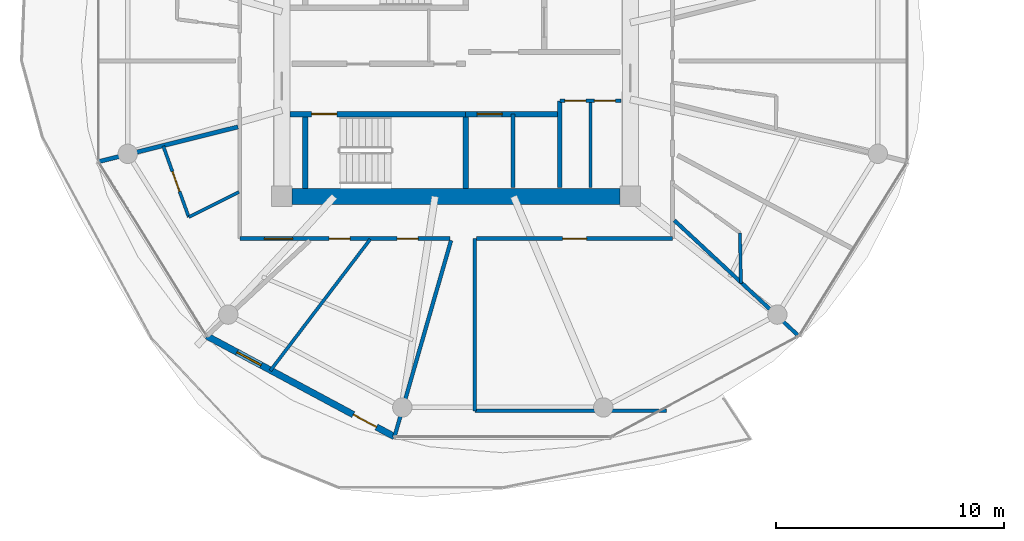
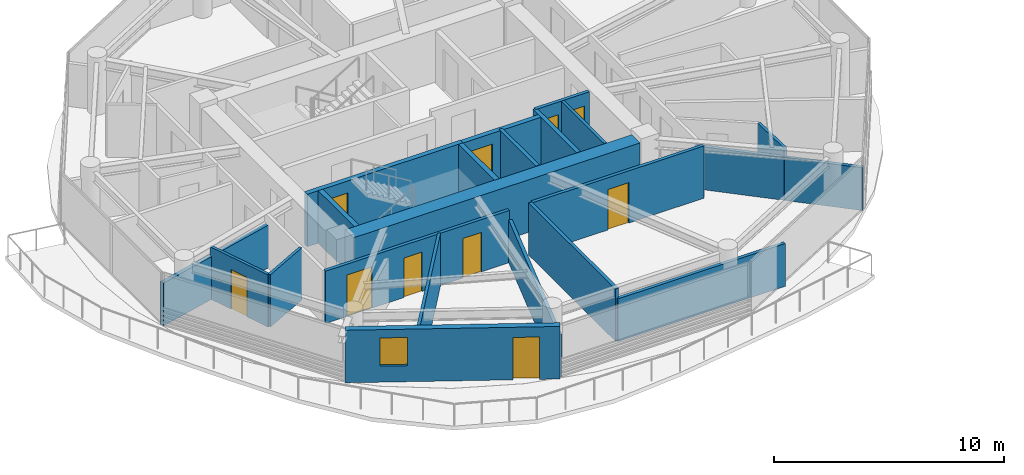
# One storey, part 13 of 24: 21 walls, 10 doors, 1 window, 11 openings.
"""IFC4 building model written with IfcOpenShell, lengths in metres."""

from ifc_helpers import new_model, si_unit, direction, frame, frame_2d, origin, place, context, subcontext, project, spatial, rectangle, extrude, source, transform, mapped, material, layer, layer_set, type_object, type_shapes, element, fill, save


model = new_model("IFC4")

# Units and contexts
model_context = context("Model", 3, precision=1e-05, world=origin(), true_north=direction((0.0, 1.0)))
body_context = subcontext(model_context, "Body", "Model", "MODEL_VIEW")
ifc_project = project(units=[si_unit("LENGTHUNIT", "METRE"), si_unit("AREAUNIT", "SQUARE_METRE"), si_unit("VOLUMEUNIT", "CUBIC_METRE"), si_unit("PLANEANGLEUNIT", "RADIAN"), si_unit("MASSUNIT", "GRAM", prefix="KILO")], contexts=[model_context])

# Site, building, storey
site_placement = place(None, origin())
site = spatial("IfcSite", under=ifc_project, at=site_placement, CompositionType="ELEMENT")
building_placement = place(site_placement, origin())
building = spatial("IfcBuilding", under=site, at=building_placement, Name="Norrkilde Senior Care Towers", CompositionType="ELEMENT")
storey_placement = place(building_placement, frame((0.0, 0.0, 105.39990234375)))
storey = spatial("IfcBuildingStorey", under=building, at=storey_placement, Name="L32", CompositionType="ELEMENT", Elevation=105.39990234375)

# Wall
ifc_material_1 = material(Name="Concrete C60/75", Category="concrete")
ifc_layer_1 = layer(ifc_material_1, 0.719970703125)
ifc_layer_set_1 = layer_set([ifc_layer_1], Name="Concrete C60/75")
wall_type_1 = type_object("IfcWallType", Name="Core Shear Wall Z2 720", PredefinedType="SHEAR", material=ifc_layer_set_1)
shared_shape_1 = source(origin(), body_context, "Body", "SweptSolid", [
    extrude(rectangle(XDim=14.39990234375, YDim=0.719970703125, at=frame_2d((7.199951171875, 0.0))), origin(), (0.0, 0.0, 1.0), 2.7900390625),
])
type_shapes(wall_type_1, [shared_shape_1])
wall_1_placement = place(storey_placement, frame((-20.800048828125, -5.949951171875, 0.0), z_axis=(0.0, 0.0, 1.0), x_axis=(-1.0, 0.0, 0.0)))
element("IfcWall", 1, at=wall_1_placement, inside=storey, type_object=wall_type_1, Name="L32 Core W South Shear Wall", PredefinedType="SHEAR", context=body_context, shape_type="MappedRepresentation", body=[
    mapped(shared_shape_1, transform((0.0, 0.0, 0.0), x_axis=(1.0, 0.0, 0.0), y_axis=(0.0, 1.0, 0.0), z_axis=(0.0, 0.0, 1.0), scale=1.0)),
])

# Wall, openings, door, window
ifc_material_2 = material(Name="Precast concrete C45/55", Category="concrete")
ifc_layer_2 = layer(ifc_material_2, 0.2900390625)
ifc_layer_set_2 = layer_set([ifc_layer_2], Name="Precast concrete C45/55")
wall_type_2 = type_object("IfcWallType", Name="Winter Garden Facade Wall 290", PredefinedType="SOLIDWALL", material=ifc_layer_set_2)
shared_shape_2 = source(origin(), body_context, "Body", "SweptSolid", [
    extrude(rectangle(XDim=9.3505859375, YDim=0.2900390625, at=frame_2d((4.67529296875, 0.0))), origin(), (0.0, 0.0, 1.0), 2.7900390625),
])
type_shapes(wall_type_2, [shared_shape_2])
wall_2_placement = place(storey_placement, frame((-30.70703125, -16.498046875, 0.0), z_axis=(0.0, 0.0, 1.0), x_axis=(-0.881184411073, 0.472772708267, 0.0)))
wall_2 = element("IfcWall", 2, at=wall_2_placement, inside=storey, type_object=wall_type_2, Name="L32 Drum W Balcony Access Wall 07", PredefinedType="SOLIDWALL", context=body_context, shape_type="MappedRepresentation", body=[
    mapped(shared_shape_2, transform((0.0, 0.0, 0.0), x_axis=(1.0, 0.0, 0.0), y_axis=(0.0, 1.0, 0.0), z_axis=(0.0, 0.0, 1.0), scale=1.0)),
])
opening_1_placement = place(wall_2_placement, frame((0.89990234375, 0.0, 0.0)))
opening_1 = element("IfcOpeningElement", 3, at=opening_1_placement, cuts=wall_2, Name="Opening D-09", PredefinedType="OPENING", context=body_context, shape_type="SweptSolid", body=[
    extrude(rectangle(XDim=1.14990234375, YDim=2.25, at=frame_2d((0.574951171875, 1.125))), frame((0.0, 0.155029296875, 0.0), z_axis=(0.0, -1.0, 0.0), x_axis=(1.0, 0.0, 0.0)), (0.0, 0.0, 1.0), 0.31005859375),
])
opening_2_placement = place(wall_2_placement, frame((6.645263671875, 0.0, 0.85009765625)))
opening_2 = element("IfcOpeningElement", 4, at=opening_2_placement, cuts=wall_2, Name="Opening WN-07", PredefinedType="OPENING", context=body_context, shape_type="SweptSolid", body=[
    extrude(rectangle(XDim=1.199951171875, YDim=1.5, at=frame_2d((0.60009765625, 0.75))), frame((0.0, 0.155029296875, 0.0), z_axis=(0.0, -1.0, 0.0), x_axis=(1.0, 0.0, 0.0)), (0.0, 0.0, 1.0), 0.31005859375),
])
ifc_material_3 = material(Name="Anodised Aluminium", Category="aluminium")
door_type_1 = type_object("IfcDoorType", Name="Terrace and Balcony Glazed Door 1150x2250", OperationType="NOTDEFINED", PredefinedType="DOOR", material=ifc_material_3)
shared_shape_3 = source(origin(), body_context, "Body", "SweptSolid", [
    extrude(rectangle(XDim=1.14990234375, YDim=2.25, at=frame_2d((0.574951171875, 1.125))), frame((0.0, 0.02490234375, 0.0), z_axis=(0.0, -1.0, 0.0), x_axis=(1.0, 0.0, 0.0)), (0.0, 0.0, 1.0), 0.050048828125),
])
type_shapes(door_type_1, [shared_shape_3])
door_1_placement = place(opening_1_placement, origin())
door_1 = element("IfcDoor", 5, at=door_1_placement, inside=storey, type_object=door_type_1, Name="L32 Drum W Outdoor Terrace Door 07", OperationType="SINGLE_SWING_RIGHT", OverallHeight=2.25, OverallWidth=1.14990234375, PredefinedType="DOOR", context=body_context, shape_type="MappedRepresentation", body=[
    mapped(shared_shape_3, transform((0.0, 0.0, 0.0), x_axis=(1.0, 0.0, 0.0), y_axis=(0.0, 1.0, 0.0), z_axis=(0.0, 0.0, 1.0), scale=1.0)),
])
fill(opening_1, door_1)
ifc_material_4 = material(Name="Triple Low-E Insulated Glazing", Category="glass")
window_type = type_object("IfcWindowType", Name="Stairwell Smoke Vent Window 1200x1500", PartitioningType="SINGLE_PANEL", PredefinedType="WINDOW", material=ifc_material_4)
shared_shape_4 = source(origin(), body_context, "Body", "SweptSolid", [
    extrude(rectangle(XDim=1.199951171875, YDim=1.5, at=frame_2d((0.60009765625, 0.75))), frame((0.0, 0.030029296875, 0.0), z_axis=(0.0, -1.0, 0.0), x_axis=(1.0, 0.0, 0.0)), (0.0, 0.0, 1.0), 0.06005859375),
])
type_shapes(window_type, [shared_shape_4])
window_placement = place(opening_2_placement, origin())
window = element("IfcWindow", 6, at=window_placement, inside=storey, type_object=window_type, Name="L32 Drum W Winter Garden Window 07", OverallHeight=1.5, OverallWidth=1.199951171875, PartitioningType="SINGLE_PANEL", PredefinedType="WINDOW", context=body_context, shape_type="MappedRepresentation", body=[
    mapped(shared_shape_4, transform((0.0, 0.0, 0.0), x_axis=(1.0, 0.0, 0.0), y_axis=(0.0, 1.0, 0.0), z_axis=(0.0, 0.0, 1.0), scale=1.0)),
])
fill(opening_2, window)

# Wall
ifc_material_5 = material(Name="Concrete C45/55", Category="concrete")
ifc_layer_3 = layer(ifc_material_5, 0.199951171875)
ifc_layer_set_3 = layer_set([ifc_layer_3], Name="Concrete C45/55")
wall_type_3 = type_object("IfcWallType", Name="Shaft Division and Plant Partition 200", PredefinedType="PARTITIONING", material=ifc_layer_set_3)
shared_shape_5 = source(origin(), body_context, "Body", "SweptSolid", [
    extrude(rectangle(XDim=3.800048828125, YDim=0.199951171875, at=frame_2d((1.89990234375, 0.0))), origin(), (0.0, 0.0, 1.0), 2.775146484375),
])
type_shapes(wall_type_3, [shared_shape_5])
wall_3_placement = place(storey_placement, frame((-23.449951171875, -5.550048828125, 0.0), z_axis=(0.0, 0.0, 1.0), x_axis=(0.0, 1.0, 0.0)))
element("IfcWall", 7, at=wall_3_placement, inside=storey, type_object=wall_type_3, Name="WL-INT-L32-W-PKBE", PredefinedType="PARTITIONING", context=body_context, shape_type="MappedRepresentation", body=[
    mapped(shared_shape_5, transform((0.0, 0.0, 0.0), x_axis=(1.0, 0.0, 0.0), y_axis=(0.0, 1.0, 0.0), z_axis=(0.0, 0.0, 1.0), scale=1.0)),
])

# Wall, opening, door
ifc_layer_4 = layer(ifc_material_5, 0.239990234375)
ifc_layer_set_4 = layer_set([ifc_layer_4], Name="Concrete C45/55")
wall_type_4 = type_object("IfcWallType", Name="Lift and Plant Rated Enclosure Partition 240", PredefinedType="PARTITIONING", material=ifc_layer_set_4)
shared_shape_6 = source(origin(), body_context, "Body", "SweptSolid", [
    extrude(rectangle(XDim=4.130126953125, YDim=0.239990234375, at=frame_2d((2.06494140625, 0.0))), origin(), (0.0, 0.0, 1.0), 2.775146484375),
])
type_shapes(wall_type_4, [shared_shape_6])
wall_4_placement = place(storey_placement, frame((-27.580078125, -2.330078125, 0.0), z_axis=(0.0, 0.0, 1.0), x_axis=(1.0, 0.0, 0.0)))
wall_4 = element("IfcWall", 8, at=wall_4_placement, inside=storey, type_object=wall_type_4, Name="WL-INT-L32-W-PKBN", PredefinedType="PARTITIONING", context=body_context, shape_type="MappedRepresentation", body=[
    mapped(shared_shape_6, transform((0.0, 0.0, 0.0), x_axis=(1.0, 0.0, 0.0), y_axis=(0.0, 1.0, 0.0), z_axis=(0.0, 0.0, 1.0), scale=1.0)),
])
opening_3_placement = place(wall_4_placement, frame((0.5, 0.0, 0.0)))
opening_3 = element("IfcOpeningElement", 9, at=opening_3_placement, cuts=wall_4, Name="Opening LD-01", PredefinedType="OPENING", context=body_context, shape_type="SweptSolid", body=[
    extrude(rectangle(XDim=1.10009765625, YDim=2.199951171875, at=frame_2d((0.550048828125, 1.10009765625))), frame((0.0, 0.1298828125, 0.0), z_axis=(0.0, -1.0, 0.0), x_axis=(1.0, 0.0, 0.0)), (0.0, 0.0, 1.0), 0.260009765625),
])
ifc_material_6 = material(Name="Stainless Steel", Category="steel")
door_type_2 = type_object("IfcDoorType", Name="Lift Landing Sliding Door 1100x2200", OperationType="NOTDEFINED", PredefinedType="DOOR", material=ifc_material_6)
shared_shape_7 = source(origin(), body_context, "Body", "SweptSolid", [
    extrude(rectangle(XDim=1.10009765625, YDim=2.199951171875, at=frame_2d((0.550048828125, 1.10009765625))), frame((0.0, 0.02490234375, 0.0), z_axis=(0.0, -1.0, 0.0), x_axis=(1.0, 0.0, 0.0)), (0.0, 0.0, 1.0), 0.050048828125),
])
type_shapes(door_type_2, [shared_shape_7])
door_2_placement = place(opening_3_placement, frame((1.10009765625, 0.0, 0.0), z_axis=(0.0, 0.0, 1.0), x_axis=(-1.0, 0.0, 0.0)))
door_2 = element("IfcDoor", 10, at=door_2_placement, inside=storey, type_object=door_type_2, Name="L32 Passenger Lift W3 Landing Door", OperationType="SLIDING_TO_LEFT", OverallHeight=2.199951171875, OverallWidth=1.10009765625, PredefinedType="DOOR", context=body_context, shape_type="MappedRepresentation", body=[
    mapped(shared_shape_7, transform((0.0, 0.0, 0.0), x_axis=(1.0, 0.0, 0.0), y_axis=(0.0, 1.0, 0.0), z_axis=(0.0, 0.0, 1.0), scale=1.0)),
])
fill(opening_3, door_2)

# Wall
ifc_layer_5 = layer(ifc_material_5, 0.179931640625)
ifc_layer_set_5 = layer_set([ifc_layer_5], Name="Concrete C45/55")
wall_type_5 = type_object("IfcWallType", Name="Hoistway Division Rated Partition 180", PredefinedType="PARTITIONING", material=ifc_layer_set_5)
shared_shape_8 = source(origin(), body_context, "Body", "SweptSolid", [
    extrude(rectangle(XDim=3.219970703125, YDim=0.179931640625, at=frame_2d((1.60986328125, 0.0))), origin(), (0.0, 0.0, 1.0), 2.775146484375),
])
type_shapes(wall_type_5, [shared_shape_8])
wall_5_placement = place(storey_placement, frame((-25.5, -5.550048828125, 0.0), z_axis=(0.0, 0.0, 1.0), x_axis=(0.0, 1.0, 0.0)))
element("IfcWall", 11, at=wall_5_placement, inside=storey, type_object=wall_type_5, Name="WL-INT-L32-W-PL34", PredefinedType="PARTITIONING", context=body_context, shape_type="MappedRepresentation", body=[
    mapped(shared_shape_8, transform((0.0, 0.0, 0.0), x_axis=(1.0, 0.0, 0.0), y_axis=(0.0, 1.0, 0.0), z_axis=(0.0, 0.0, 1.0), scale=1.0)),
])

# Wall, openings, doors
ifc_material_7 = material(Name="Gypsum Acoustic Board")
ifc_layer_6 = layer(ifc_material_7, 0.1650390625)
ifc_layer_set_6 = layer_set([ifc_layer_6], Name="Gypsum Acoustic Board")
wall_type_6 = type_object("IfcWallType", Name="Corridor Rated Partition 165", PredefinedType="PARTITIONING", material=ifc_layer_set_6)
shared_shape_9 = source(origin(), body_context, "Body", "SweptSolid", [
    extrude(rectangle(XDim=2.699951171875, YDim=0.1650390625, at=frame_2d((1.35009765625, 0.0))), origin(), (0.0, 0.0, 1.0), 2.775146484375),
])
wall_6_placement = place(storey_placement, frame((-23.449951171875, -1.75, 0.0), z_axis=(0.0, 0.0, 1.0), x_axis=(1.0, 0.0, 0.0)))
wall_6 = element("IfcWall", 12, at=wall_6_placement, inside=storey, type_object=wall_type_6, Name="WL-INT-L32-W-CSN", PredefinedType="PARTITIONING", context=body_context, shape_type="MappedRepresentation", body=[
    mapped(shared_shape_9, transform((0.0, 0.0, 0.0), x_axis=(1.0, 0.0, 0.0), y_axis=(0.0, 1.0, 0.0), z_axis=(0.0, 0.0, 1.0), scale=1.0)),
])
opening_4_placement = place(wall_6_placement, frame((0.222412109375, 0.0, 0.0)))
opening_4 = element("IfcOpeningElement", 13, at=opening_4_placement, cuts=wall_6, Name="Opening D-12", PredefinedType="OPENING", context=body_context, shape_type="SweptSolid", body=[
    extrude(rectangle(XDim=0.925048828125, YDim=2.10009765625, at=frame_2d((0.46240234375, 1.050048828125))), frame((0.0, 0.092529296875, 0.0), z_axis=(0.0, -1.0, 0.0), x_axis=(1.0, 0.0, 0.0)), (0.0, 0.0, 1.0), 0.18505859375),
])
opening_5_placement = place(wall_6_placement, frame((1.5224609375, 0.0, 0.0)))
opening_5 = element("IfcOpeningElement", 14, at=opening_5_placement, cuts=wall_6, Name="Opening D-12", PredefinedType="OPENING", context=body_context, shape_type="SweptSolid", body=[
    extrude(rectangle(XDim=0.925048828125, YDim=2.10009765625, at=frame_2d((0.46240234375, 1.050048828125))), frame((0.0, 0.092529296875, 0.0), z_axis=(0.0, -1.0, 0.0), x_axis=(1.0, 0.0, 0.0)), (0.0, 0.0, 1.0), 0.18505859375),
])
ifc_material_8 = material(Name="Galvanised Painted Steel", Category="steel")
door_type_3 = type_object("IfcDoorType", Name="Core Wet Room Rated Door 925x2100", OperationType="NOTDEFINED", PredefinedType="DOOR", material=ifc_material_8)
shared_shape_10 = source(origin(), body_context, "Body", "SweptSolid", [
    extrude(rectangle(XDim=0.925048828125, YDim=2.10009765625, at=frame_2d((0.46240234375, 1.050048828125))), frame((0.0, 0.02490234375, 0.0), z_axis=(0.0, -1.0, 0.0), x_axis=(1.0, 0.0, 0.0)), (0.0, 0.0, 1.0), 0.050048828125),
])
type_shapes(door_type_3, [shared_shape_10])
door_3_placement = place(opening_4_placement, origin())
door_3 = element("IfcDoor", 15, at=door_3_placement, inside=storey, type_object=door_type_3, Name="L32 Staff Accessible WC W Door", OperationType="SINGLE_SWING_LEFT", OverallHeight=2.10009765625, OverallWidth=0.925048828125, PredefinedType="DOOR", context=body_context, shape_type="MappedRepresentation", body=[
    mapped(shared_shape_10, transform((0.0, 0.0, 0.0), x_axis=(1.0, 0.0, 0.0), y_axis=(0.0, 1.0, 0.0), z_axis=(0.0, 0.0, 1.0), scale=1.0)),
])
fill(opening_4, door_3)
door_4_placement = place(opening_5_placement, origin())
door_4 = element("IfcDoor", 16, at=door_4_placement, inside=storey, type_object=door_type_3, Name="L32 Housekeeping Store W Door", OperationType="SINGLE_SWING_RIGHT", OverallHeight=2.10009765625, OverallWidth=0.925048828125, PredefinedType="DOOR", context=body_context, shape_type="MappedRepresentation", body=[
    mapped(shared_shape_10, transform((0.0, 0.0, 0.0), x_axis=(1.0, 0.0, 0.0), y_axis=(0.0, 1.0, 0.0), z_axis=(0.0, 0.0, 1.0), scale=1.0)),
])
fill(opening_5, door_4)

# Wall, opening, door
ifc_layer_7 = layer(ifc_material_5, 0.239990234375)
ifc_layer_set_7 = layer_set([ifc_layer_7], Name="Concrete C45/55")
wall_type_7 = type_object("IfcWallType", Name="Shaft and Stair Enclosure Wall 240", PredefinedType="PARTITIONING", material=ifc_layer_set_7)
shared_shape_11 = source(origin(), body_context, "Body", "SweptSolid", [
    extrude(rectangle(XDim=7.830078125, YDim=0.239990234375, at=frame_2d((3.9150390625, 0.0))), origin(), (0.0, 0.0, 1.0), 2.7900390625),
])
wall_7_placement = place(storey_placement, frame((-35.2900390625, -2.330078125, 0.0), z_axis=(0.0, 0.0, 1.0), x_axis=(1.0, 0.0, 0.0)))
wall_7 = element("IfcWall", 17, at=wall_7_placement, inside=storey, type_object=wall_type_7, Name="WL-INT-L32-W-ST2N", PredefinedType="PARTITIONING", context=body_context, shape_type="MappedRepresentation", body=[
    mapped(shared_shape_11, transform((0.0, 0.0, 0.0), x_axis=(1.0, 0.0, 0.0), y_axis=(0.0, 1.0, 0.0), z_axis=(0.0, 0.0, 1.0), scale=1.0)),
])
opening_6_placement = place(wall_7_placement, frame((0.949951171875, 0.0, 0.0)))
opening_6 = element("IfcOpeningElement", 18, at=opening_6_placement, cuts=wall_7, Name="Opening D-03", PredefinedType="OPENING", context=body_context, shape_type="SweptSolid", body=[
    extrude(rectangle(XDim=1.10009765625, YDim=2.14990234375, at=frame_2d((0.550048828125, 1.074951171875))), frame((0.0, 0.1298828125, 0.0), z_axis=(0.0, -1.0, 0.0), x_axis=(1.0, 0.0, 0.0)), (0.0, 0.0, 1.0), 0.260009765625),
])
door_type_4 = type_object("IfcDoorType", Name="Stairwell Protected Fire Door 1100x2150", OperationType="NOTDEFINED", PredefinedType="DOOR", material=ifc_material_8)
shared_shape_12 = source(origin(), body_context, "Body", "SweptSolid", [
    extrude(rectangle(XDim=1.10009765625, YDim=2.14990234375, at=frame_2d((0.550048828125, 1.074951171875))), frame((0.0, 0.02490234375, 0.0), z_axis=(0.0, -1.0, 0.0), x_axis=(1.0, 0.0, 0.0)), (0.0, 0.0, 1.0), 0.050048828125),
])
type_shapes(door_type_4, [shared_shape_12])
door_5_placement = place(opening_6_placement, frame((1.10009765625, 0.0, 0.0), z_axis=(0.0, 0.0, 1.0), x_axis=(-1.0, 0.0, 0.0)))
door_5 = element("IfcDoor", 19, at=door_5_placement, inside=storey, type_object=door_type_4, Name="L32 Stair W2 Fire Door", OperationType="SINGLE_SWING_RIGHT", OverallHeight=2.14990234375, OverallWidth=1.10009765625, PredefinedType="DOOR", context=body_context, shape_type="MappedRepresentation", body=[
    mapped(shared_shape_12, transform((0.0, 0.0, 0.0), x_axis=(1.0, 0.0, 0.0), y_axis=(0.0, 1.0, 0.0), z_axis=(0.0, 0.0, 1.0), scale=1.0)),
])
fill(opening_6, door_5)

# Walls
shared_shape_13 = source(origin(), body_context, "Body", "SweptSolid", [
    extrude(rectangle(XDim=3.14013671875, YDim=0.239990234375, at=frame_2d((1.570068359375, 0.0))), origin(), (0.0, 0.0, 1.0), 2.7900390625),
])
type_shapes(wall_type_7, [shared_shape_11, shared_shape_13])
for number, where, z_axis, x_axis, name in (
    (20, (-34.6201171875, -5.590087890625, 0.0), (0.0, 0.0, 1.0), (0.0, 1.0, 0.0), "WL-INT-L32-W-ST2W"),
    (21, (-27.580078125, -5.590087890625, 0.0), (0.0, 0.0, 1.0), (0.0, 1.0, 0.0), "WL-INT-L32-W-ST2E"),
):
    element("IfcWall", number, at=place(storey_placement, frame(where, z_axis=z_axis, x_axis=x_axis)), inside=storey, type_object=wall_type_7, Name=name, PredefinedType="PARTITIONING", context=body_context, shape_type="MappedRepresentation", body=[
        mapped(shared_shape_13, transform((0.0, 0.0, 0.0), x_axis=(1.0, 0.0, 0.0), y_axis=(0.0, 1.0, 0.0), z_axis=(0.0, 0.0, 1.0), scale=1.0)),
    ])
ifc_layer_8 = layer(ifc_material_7, 0.139892578125)
ifc_layer_set_8 = layer_set([ifc_layer_8], Name="Gypsum Acoustic Board")
wall_type_8 = type_object("IfcWallType", Name="En-suite Wet Room Wall 140", PredefinedType="PARTITIONING", material=ifc_layer_set_8)
shared_shape_14 = source(origin(), body_context, "Body", "SweptSolid", [
    extrude(rectangle(XDim=7.24267578125, YDim=0.139892578125, at=frame_2d((3.621337890625, 0.0))), origin(), (0.0, 0.0, 1.0), 2.775146484375),
])
wall_8_placement = place(storey_placement, frame((-31.773681640625, -7.830078125, 0.0), z_axis=(0.0, 0.0, 1.0), x_axis=(-0.605111472002, -0.796140757939, 0.0)))
element("IfcWall", 22, at=wall_8_placement, inside=storey, type_object=wall_type_8, Name="WL-INT-L32-W-MID-07", PredefinedType="PARTITIONING", context=body_context, shape_type="MappedRepresentation", body=[
    mapped(shared_shape_14, transform((0.0, 0.0, 0.0), x_axis=(1.0, 0.0, 0.0), y_axis=(0.0, 1.0, 0.0), z_axis=(0.0, 0.0, 1.0), scale=1.0)),
])
ifc_layer_9 = layer(ifc_material_7, 0.18994140625)
ifc_layer_set_9 = layer_set([ifc_layer_9], Name="Gypsum Acoustic Board")
wall_type_9 = type_object("IfcWallType", Name="Unit Demising Acoustic Wall 190", PredefinedType="PARTITIONING", material=ifc_layer_set_9)
shared_shape_15 = source(origin(), body_context, "Body", "SweptSolid", [
    extrude(rectangle(XDim=6.33056640625, YDim=0.18994140625, at=frame_2d((3.165283203125, 0.0))), origin(), (0.0, 0.0, 1.0), 2.275146484375),
])
type_shapes(wall_type_9, [shared_shape_15])
wall_9_placement = place(storey_placement, frame((-37.580078125, -2.89599609375, 0.0), z_axis=(0.0, 0.0, 1.0), x_axis=(-0.97036440661, -0.241646267062, 0.0)))
element("IfcWall", 23, at=wall_9_placement, inside=storey, type_object=wall_type_9, Name="WL-INT-L32-W-DEM-06-0", PredefinedType="PARTITIONING", context=body_context, shape_type="MappedRepresentation", body=[
    mapped(shared_shape_15, transform((0.0, 0.0, 0.0), x_axis=(1.0, 0.0, 0.0), y_axis=(0.0, 1.0, 0.0), z_axis=(0.0, 0.0, 1.0), scale=1.0)),
])
shared_shape_16 = source(origin(), body_context, "Body", "SweptSolid", [
    extrude(rectangle(XDim=3.800048828125, YDim=0.139892578125, at=frame_2d((1.89990234375, 0.0))), origin(), (0.0, 0.0, 1.0), 2.775146484375),
])
wall_10_placement = place(storey_placement, frame((-22.10009765625, -5.550048828125, 0.0), z_axis=(0.0, 0.0, 1.0), x_axis=(0.0, 1.0, 0.0)))
element("IfcWall", 24, at=wall_10_placement, inside=storey, type_object=wall_type_8, Name="WL-INT-L32-W-CS1V", PredefinedType="PARTITIONING", context=body_context, shape_type="MappedRepresentation", body=[
    mapped(shared_shape_16, transform((0.0, 0.0, 0.0), x_axis=(1.0, 0.0, 0.0), y_axis=(0.0, 1.0, 0.0), z_axis=(0.0, 0.0, 1.0), scale=1.0)),
])

# Wall, opening, door
shared_shape_17 = source(origin(), body_context, "Body", "SweptSolid", [
    extrude(rectangle(XDim=8.60009765625, YDim=0.1650390625, at=frame_2d((4.300048828125, 0.0))), origin(), (0.0, 0.0, 1.0), 2.775146484375),
])
wall_11_placement = place(storey_placement, frame((-18.5, -7.800048828125, 0.0), z_axis=(0.0, 0.0, 1.0), x_axis=(-1.0, 0.0, 0.0)))
wall_11 = element("IfcWall", 25, at=wall_11_placement, inside=storey, type_object=wall_type_6, Name="WL-INT-L32-W-CRW-S-0", PredefinedType="PARTITIONING", context=body_context, shape_type="MappedRepresentation", body=[
    mapped(shared_shape_17, transform((0.0, 0.0, 0.0), x_axis=(1.0, 0.0, 0.0), y_axis=(0.0, 1.0, 0.0), z_axis=(0.0, 0.0, 1.0), scale=1.0)),
])
opening_7_placement = place(wall_11_placement, frame((3.77490234375, 0.0, 0.0)))
opening_7 = element("IfcOpeningElement", 26, at=opening_7_placement, cuts=wall_11, Name="Opening D-06", PredefinedType="OPENING", context=body_context, shape_type="SweptSolid", body=[
    extrude(rectangle(XDim=1.050048828125, YDim=2.14990234375, at=frame_2d((0.52490234375, 1.074951171875))), frame((0.0, 0.092529296875, 0.0), z_axis=(0.0, -1.0, 0.0), x_axis=(1.0, 0.0, 0.0)), (0.0, 0.0, 1.0), 0.18505859375),
])
ifc_material_9 = material(Name="Nordic Ash Timber", Category="wood")
door_type_5 = type_object("IfcDoorType", Name="Apartment Entrance Fire Door 1050x2150", OperationType="NOTDEFINED", PredefinedType="DOOR", material=ifc_material_9)
shared_shape_18 = source(origin(), body_context, "Body", "SweptSolid", [
    extrude(rectangle(XDim=1.050048828125, YDim=2.14990234375, at=frame_2d((0.52490234375, 1.074951171875))), frame((0.0, 0.02490234375, 0.0), z_axis=(0.0, -1.0, 0.0), x_axis=(1.0, 0.0, 0.0)), (0.0, 0.0, 1.0), 0.050048828125),
])
type_shapes(door_type_5, [shared_shape_18])
door_6_placement = place(opening_7_placement, frame((1.050048828125, 0.0, 0.0), z_axis=(0.0, 0.0, 1.0), x_axis=(-1.0, 0.0, 0.0)))
door_6 = element("IfcDoor", 27, at=door_6_placement, inside=storey, type_object=door_type_5, Name="L32 Reading Lounge SEL Door", OperationType="SINGLE_SWING_RIGHT", OverallHeight=2.14990234375, OverallWidth=1.050048828125, PredefinedType="DOOR", context=body_context, shape_type="MappedRepresentation", body=[
    mapped(shared_shape_18, transform((0.0, 0.0, 0.0), x_axis=(1.0, 0.0, 0.0), y_axis=(0.0, 1.0, 0.0), z_axis=(0.0, 0.0, 1.0), scale=1.0)),
])
fill(opening_7, door_6)

# Wall, openings, doors
shared_shape_19 = source(origin(), body_context, "Body", "SweptSolid", [
    extrude(rectangle(XDim=9.234130859375, YDim=0.1650390625, at=frame_2d((4.6171875, 0.0))), origin(), (0.0, 0.0, 1.0), 2.775146484375),
])
wall_12_placement = place(storey_placement, frame((-28.265869140625, -7.800048828125, 0.0), z_axis=(0.0, 0.0, 1.0), x_axis=(-1.0, 0.0, 0.0)))
wall_12 = element("IfcWall", 28, at=wall_12_placement, inside=storey, type_object=wall_type_6, Name="WL-INT-L32-W-CRW-S-1", PredefinedType="PARTITIONING", context=body_context, shape_type="MappedRepresentation", body=[
    mapped(shared_shape_19, transform((0.0, 0.0, 0.0), x_axis=(1.0, 0.0, 0.0), y_axis=(0.0, 1.0, 0.0), z_axis=(0.0, 0.0, 1.0), scale=1.0)),
])
opening_8_placement = place(wall_12_placement, frame((6.908935546875, 0.0, 0.0)))
opening_8 = element("IfcOpeningElement", 29, at=opening_8_placement, cuts=wall_12, Name="Opening D-05", PredefinedType="OPENING", context=body_context, shape_type="SweptSolid", body=[
    extrude(rectangle(XDim=1.25, YDim=2.199951171875, at=frame_2d((0.625, 1.10009765625))), frame((0.0, 0.092529296875, 0.0), z_axis=(0.0, -1.0, 0.0), x_axis=(1.0, 0.0, 0.0)), (0.0, 0.0, 1.0), 0.18505859375),
])
opening_9_placement = place(wall_12_placement, frame((4.39208984375, 0.0, 0.0)))
opening_9 = element("IfcOpeningElement", 30, at=opening_9_placement, cuts=wall_12, Name="Opening D-08", PredefinedType="OPENING", context=body_context, shape_type="SweptSolid", body=[
    extrude(rectangle(XDim=0.919921875, YDim=2.10009765625, at=frame_2d((0.4599609375, 1.050048828125))), frame((0.0, 0.092529296875, 0.0), z_axis=(0.0, -1.0, 0.0), x_axis=(1.0, 0.0, 0.0)), (0.0, 0.0, 1.0), 0.18505859375),
])
opening_10_placement = place(wall_12_placement, frame((1.407958984375, 0.0, 0.0)))
opening_10 = element("IfcOpeningElement", 31, at=opening_10_placement, cuts=wall_12, Name="Opening D-08", PredefinedType="OPENING", context=body_context, shape_type="SweptSolid", body=[
    extrude(rectangle(XDim=0.919921875, YDim=2.10009765625, at=frame_2d((0.4599609375, 1.050048828125))), frame((0.0, 0.092529296875, 0.0), z_axis=(0.0, -1.0, 0.0), x_axis=(1.0, 0.0, 0.0)), (0.0, 0.0, 1.0), 0.18505859375),
])
door_type_6 = type_object("IfcDoorType", Name="Care Bedroom Bariatric Door 1250x2200", OperationType="NOTDEFINED", PredefinedType="DOOR", material=ifc_material_9)
shared_shape_20 = source(origin(), body_context, "Body", "SweptSolid", [
    extrude(rectangle(XDim=1.25, YDim=2.199951171875, at=frame_2d((0.625, 1.10009765625))), frame((0.0, 0.02490234375, 0.0), z_axis=(0.0, -1.0, 0.0), x_axis=(1.0, 0.0, 0.0)), (0.0, 0.0, 1.0), 0.050048828125),
])
type_shapes(door_type_6, [shared_shape_20])
door_7_placement = place(opening_8_placement, frame((1.25, 0.0, 0.0), z_axis=(0.0, 0.0, 1.0), x_axis=(-1.0, 0.0, 0.0)))
door_7 = element("IfcDoor", 32, at=door_7_placement, inside=storey, type_object=door_type_6, Name="L32 Care Suite 3206 Entrance Door", OperationType="SINGLE_SWING_LEFT", OverallHeight=2.199951171875, OverallWidth=1.25, PredefinedType="DOOR", context=body_context, shape_type="MappedRepresentation", body=[
    mapped(shared_shape_20, transform((0.0, 0.0, 0.0), x_axis=(1.0, 0.0, 0.0), y_axis=(0.0, 1.0, 0.0), z_axis=(0.0, 0.0, 1.0), scale=1.0)),
])
fill(opening_8, door_7)
door_type_7 = type_object("IfcDoorType", Name="Accessible Wet Room Door 920x2100", OperationType="NOTDEFINED", PredefinedType="DOOR", material=ifc_material_9)
shared_shape_21 = source(origin(), body_context, "Body", "SweptSolid", [
    extrude(rectangle(XDim=0.919921875, YDim=2.10009765625, at=frame_2d((0.4599609375, 1.050048828125))), frame((0.0, 0.02490234375, 0.0), z_axis=(0.0, -1.0, 0.0), x_axis=(1.0, 0.0, 0.0)), (0.0, 0.0, 1.0), 0.050048828125),
])
type_shapes(door_type_7, [shared_shape_21])
door_8_placement = place(opening_9_placement, frame((0.919921875, 0.0, 0.0), z_axis=(0.0, 0.0, 1.0), x_axis=(-1.0, 0.0, 0.0)))
door_8 = element("IfcDoor", 33, at=door_8_placement, inside=storey, type_object=door_type_7, Name="L32 Accessible Restroom Door", OperationType="SINGLE_SWING_RIGHT", OverallHeight=2.10009765625, OverallWidth=0.919921875, PredefinedType="DOOR", context=body_context, shape_type="MappedRepresentation", body=[
    mapped(shared_shape_21, transform((0.0, 0.0, 0.0), x_axis=(1.0, 0.0, 0.0), y_axis=(0.0, 1.0, 0.0), z_axis=(0.0, 0.0, 1.0), scale=1.0)),
])
fill(opening_9, door_8)
door_9_placement = place(opening_10_placement, frame((0.919921875, 0.0, 0.0), z_axis=(0.0, 0.0, 1.0), x_axis=(-1.0, 0.0, 0.0)))
door_9 = element("IfcDoor", 34, at=door_9_placement, inside=storey, type_object=door_type_7, Name="L32 Public Restroom Door", OperationType="SINGLE_SWING_LEFT", OverallHeight=2.10009765625, OverallWidth=0.919921875, PredefinedType="DOOR", context=body_context, shape_type="MappedRepresentation", body=[
    mapped(shared_shape_21, transform((0.0, 0.0, 0.0), x_axis=(1.0, 0.0, 0.0), y_axis=(0.0, 1.0, 0.0), z_axis=(0.0, 0.0, 1.0), scale=1.0)),
])
fill(opening_10, door_9)

# Walls
shared_shape_22 = source(origin(), body_context, "Body", "SweptSolid", [
    extrude(rectangle(XDim=8.9892578125, YDim=0.1650390625, at=frame_2d((4.49462890625, 0.0))), origin(), (0.0, 0.0, 1.0), 2.275146484375),
])
wall_13_placement = place(storey_placement, frame((-28.221923828125, -7.8798828125, 0.0), z_axis=(0.0, 0.0, 1.0), x_axis=(-0.27702323008, -0.960863221274, 0.0)))
element("IfcWall", 35, at=wall_13_placement, inside=storey, type_object=wall_type_6, Name="WL-INT-L32-W-DEM-08-0", PredefinedType="PARTITIONING", context=body_context, shape_type="MappedRepresentation", body=[
    mapped(shared_shape_22, transform((0.0, 0.0, 0.0), x_axis=(1.0, 0.0, 0.0), y_axis=(0.0, 1.0, 0.0), z_axis=(0.0, 0.0, 1.0), scale=1.0)),
])
shared_shape_23 = source(origin(), body_context, "Body", "SweptSolid", [
    extrude(rectangle(XDim=7.482177734375, YDim=0.1650390625, at=frame_2d((3.7412109375, 0.0))), origin(), (0.0, 0.0, 1.0), 2.275146484375),
])
wall_14_placement = place(storey_placement, frame((-18.419921875, -6.998046875, 0.0), z_axis=(0.0, 0.0, 1.0), x_axis=(0.732508698043, -0.680757671489, 0.0)))
element("IfcWall", 36, at=wall_14_placement, inside=storey, type_object=wall_type_6, Name="WL-INT-L32-W-DEM-10-0", PredefinedType="PARTITIONING", context=body_context, shape_type="MappedRepresentation", body=[
    mapped(shared_shape_23, transform((0.0, 0.0, 0.0), x_axis=(1.0, 0.0, 0.0), y_axis=(0.0, 1.0, 0.0), z_axis=(0.0, 0.0, 1.0), scale=1.0)),
])
shared_shape_24 = source(origin(), body_context, "Body", "SweptSolid", [
    extrude(rectangle(XDim=7.56005859375, YDim=0.1650390625, at=frame_2d((3.780029296875, 0.0))), origin(), (0.0, 0.0, 1.0), 2.775146484375),
])
wall_15_placement = place(storey_placement, frame((-27.179931640625, -15.360107421875, 0.0), z_axis=(0.0, 0.0, 1.0), x_axis=(0.0, 1.0, 0.0)))
element("IfcWall", 37, at=wall_15_placement, inside=storey, type_object=wall_type_6, Name="WL-INT-L32-W-PKW-SEL", PredefinedType="PARTITIONING", context=body_context, shape_type="MappedRepresentation", body=[
    mapped(shared_shape_24, transform((0.0, 0.0, 0.0), x_axis=(1.0, 0.0, 0.0), y_axis=(0.0, 1.0, 0.0), z_axis=(0.0, 0.0, 1.0), scale=1.0)),
])
shared_shape_25 = source(origin(), body_context, "Body", "SweptSolid", [
    extrude(rectangle(XDim=8.406982421875, YDim=0.1650390625, at=frame_2d((4.20361328125, 0.0))), origin(), (0.0, 0.0, 1.0), 2.275146484375),
])
type_shapes(wall_type_6, [shared_shape_9, shared_shape_17, shared_shape_19, shared_shape_22, shared_shape_23, shared_shape_24, shared_shape_25])
wall_16_placement = place(storey_placement, frame((-27.179931640625, -15.360107421875, 0.0), z_axis=(0.0, 0.0, 1.0), x_axis=(1.0, 0.0, 0.0)))
element("IfcWall", 38, at=wall_16_placement, inside=storey, type_object=wall_type_6, Name="WL-INT-L32-W-PKH-SEL-0", PredefinedType="PARTITIONING", context=body_context, shape_type="MappedRepresentation", body=[
    mapped(shared_shape_25, transform((0.0, 0.0, 0.0), x_axis=(1.0, 0.0, 0.0), y_axis=(0.0, 1.0, 0.0), z_axis=(0.0, 0.0, 1.0), scale=1.0)),
])
shared_shape_26 = source(origin(), body_context, "Body", "SweptSolid", [
    extrude(rectangle(XDim=2.224853515625, YDim=0.139892578125, at=frame_2d((1.1123046875, 0.0))), origin(), (0.0, 0.0, 1.0), 2.775146484375),
])
wall_17_placement = place(storey_placement, frame((-15.537841796875, -7.547119140625, 0.0), z_axis=(0.0, 0.0, 1.0), x_axis=(0.019971869027, -0.999800542332, 0.0)))
element("IfcWall", 39, at=wall_17_placement, inside=storey, type_object=wall_type_8, Name="WL-INT-L32-W-EF-10A", PredefinedType="PARTITIONING", context=body_context, shape_type="MappedRepresentation", body=[
    mapped(shared_shape_26, transform((0.0, 0.0, 0.0), x_axis=(1.0, 0.0, 0.0), y_axis=(0.0, 1.0, 0.0), z_axis=(0.0, 0.0, 1.0), scale=1.0)),
])
shared_shape_27 = source(origin(), body_context, "Body", "SweptSolid", [
    extrude(rectangle(XDim=2.46923828125, YDim=0.139892578125, at=frame_2d((1.234619140625, 0.0))), origin(), (0.0, 0.0, 1.0), 2.775146484375),
])
wall_18_placement = place(storey_placement, frame((-37.530029296875, -5.753662109375, 0.0), z_axis=(0.0, 0.0, 1.0), x_axis=(-0.895512172456, -0.445037019789, 0.0)))
element("IfcWall", 40, at=wall_18_placement, inside=storey, type_object=wall_type_8, Name="WL-INT-L32-W-ES-06", PredefinedType="PARTITIONING", context=body_context, shape_type="MappedRepresentation", body=[
    mapped(shared_shape_27, transform((0.0, 0.0, 0.0), x_axis=(1.0, 0.0, 0.0), y_axis=(0.0, 1.0, 0.0), z_axis=(0.0, 0.0, 1.0), scale=1.0)),
])

# Wall, opening, door
shared_shape_28 = source(origin(), body_context, "Body", "SweptSolid", [
    extrude(rectangle(XDim=3.31396484375, YDim=0.139892578125, at=frame_2d((1.656982421875, 0.0))), origin(), (0.0, 0.0, 1.0), 2.775146484375),
])
type_shapes(wall_type_8, [shared_shape_14, shared_shape_16, shared_shape_26, shared_shape_27, shared_shape_28])
wall_19_placement = place(storey_placement, frame((-39.7412109375, -6.8525390625, 0.0), z_axis=(0.0, 0.0, 1.0), x_axis=(-0.338067217654, 0.941121966776, 0.0)))
wall_19 = element("IfcWall", 41, at=wall_19_placement, inside=storey, type_object=wall_type_8, Name="WL-INT-L32-W-EF-06", PredefinedType="PARTITIONING", context=body_context, shape_type="MappedRepresentation", body=[
    mapped(shared_shape_28, transform((0.0, 0.0, 0.0), x_axis=(1.0, 0.0, 0.0), y_axis=(0.0, 1.0, 0.0), z_axis=(0.0, 0.0, 1.0), scale=1.0)),
])
opening_11_placement = place(wall_19_placement, frame((1.197021484375, 0.0, 0.0)))
opening_11 = element("IfcOpeningElement", 42, at=opening_11_placement, cuts=wall_19, Name="Opening D-08", PredefinedType="OPENING", context=body_context, shape_type="SweptSolid", body=[
    extrude(rectangle(XDim=0.919921875, YDim=2.10009765625, at=frame_2d((0.4599609375, 1.050048828125))), frame((0.0, 0.079833984375, 0.0), z_axis=(0.0, -1.0, 0.0), x_axis=(1.0, 0.0, 0.0)), (0.0, 0.0, 1.0), 0.159912109375),
])
door_10_placement = place(opening_11_placement, origin())
door_10 = element("IfcDoor", 43, at=door_10_placement, inside=storey, type_object=door_type_7, Name="L32 Care Suite 3206 Bathroom Door", OperationType="SINGLE_SWING_RIGHT", OverallHeight=2.10009765625, OverallWidth=0.919921875, PredefinedType="DOOR", context=body_context, shape_type="MappedRepresentation", body=[
    mapped(shared_shape_21, transform((0.0, 0.0, 0.0), x_axis=(1.0, 0.0, 0.0), y_axis=(0.0, 1.0, 0.0), z_axis=(0.0, 0.0, 1.0), scale=1.0)),
])
fill(opening_11, door_10)

save(model, "model.ifc")
